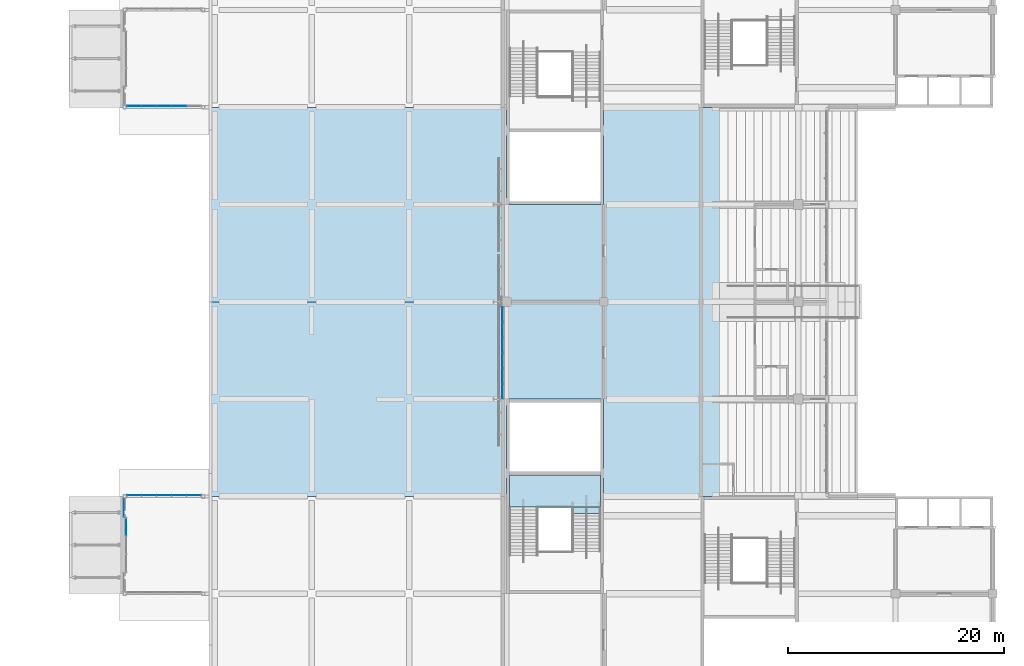
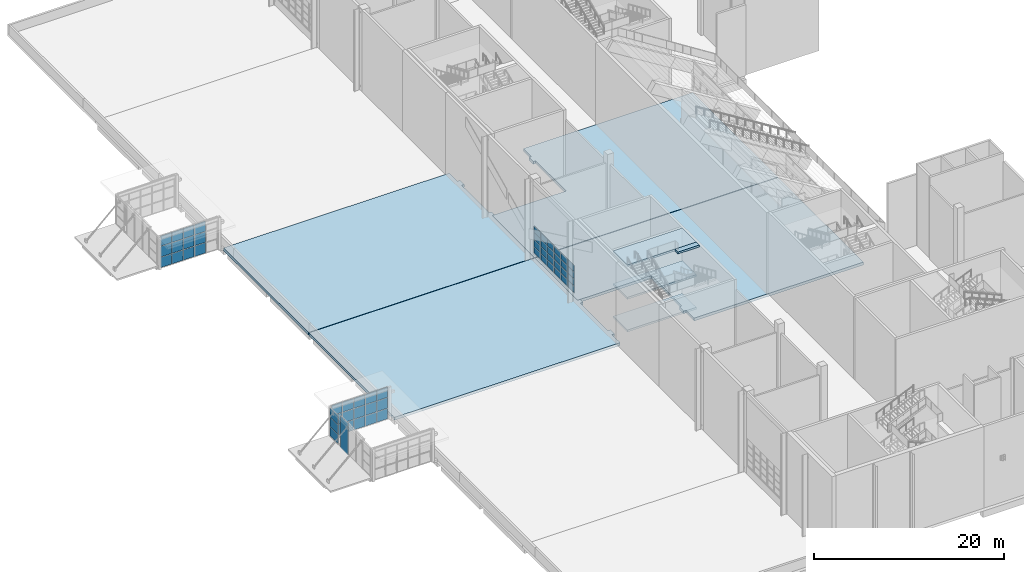
# One storey, part 69 of 182: 55 plates, 8 slabs, 6 elements without a shape of their own.
"""IFC4 building model written with IfcOpenShell, lengths in metres."""

from ifc_helpers import new_model, si_unit, direction, frame, origin, origin_2d, place, context, subcontext, project, spatial, polyline, rectangle, outline, extrude, material, layer, layer_set, type_object, element, aggregate, save


model = new_model("IFC4")

# Units and contexts
model_context = context("Model", 3, precision=1e-05, world=origin(), true_north=direction((0.0, 1.0)))
body_context = subcontext(model_context, "Body", "Model", "MODEL_VIEW")
ifc_project = project(units=[si_unit("LENGTHUNIT", "METRE"), si_unit("AREAUNIT", "SQUARE_METRE"), si_unit("VOLUMEUNIT", "CUBIC_METRE"), si_unit("PLANEANGLEUNIT", "RADIAN"), si_unit("MASSUNIT", "GRAM", prefix="KILO")], contexts=[model_context])

# Site, building, storey
site_placement = place(None, origin())
site = spatial("IfcSite", under=ifc_project, at=site_placement, CompositionType="ELEMENT")
building_placement = place(site_placement, origin())
building = spatial("IfcBuilding", under=site, at=building_placement, Name="Silverbay Arena", CompositionType="ELEMENT")
storey_placement = place(building_placement, frame((0.0, 0.0, 11.5)))
storey = spatial("IfcBuildingStorey", under=building, at=storey_placement, Name="L02", CompositionType="ELEMENT", Elevation=11.5)

# Curtain wall, plates
ifc_material_1 = material(Name="Aluminium framed curtain wall", Category="aluminium")
curtain_wall_type_1 = type_object("IfcCurtainWallType", Name="Curtain wall 1800 x 3700", PredefinedType="NOTDEFINED", material=ifc_material_1)
curtain_wall_1_placement = place(storey_placement, origin())
curtain_wall_1 = element("IfcCurtainWall", 1, at=curtain_wall_1_placement, inside=storey, type_object=curtain_wall_type_1, Name="West entrance hall W0 glazing F0b", PredefinedType="NOTDEFINED")
ifc_material_2 = material(Name="Laminated glass", Category="glass")
ifc_layer_1 = layer(ifc_material_2, 0.028076171875)
ifc_layer_set_1 = layer_set([ifc_layer_1], Name="Laminated glass")
plate_type_1 = type_object("IfcPlateType", Name="Glass panel 28", PredefinedType="CURTAIN_PANEL", material=ifc_layer_set_1)
plate_1_placement = place(storey_placement, frame((18.590087890625, 61.949951171875, 0.5498046875), z_axis=(0.0, 0.0, 1.0), x_axis=(0.0, 1.0, 0.0)))
plate_1 = element("IfcPlate", 2, at=plate_1_placement, type_object=plate_type_1, Name="CW50 panel 1.1", PredefinedType="CURTAIN_PANEL", context=body_context, shape_type="SweptSolid", body=[
    extrude(rectangle(XDim=1.679931640625, YDim=0.028076171875, at=origin_2d()), origin(), (0.0, 0.0, 1.0), 1.158447265625),
])
plate_2_placement = place(storey_placement, frame((18.590087890625, 61.949951171875, 1.75830078125), z_axis=(0.0, 0.0, 1.0), x_axis=(0.0, 1.0, 0.0)))
plate_2 = element("IfcPlate", 3, at=plate_2_placement, type_object=plate_type_1, Name="CW50 panel 1.2", PredefinedType="CURTAIN_PANEL", context=body_context, shape_type="SweptSolid", body=[
    extrude(rectangle(XDim=1.679931640625, YDim=0.028076171875, at=origin_2d()), origin(), (0.0, 0.0, 1.0), 1.183349609375),
])
plate_3_placement = place(storey_placement, frame((18.590087890625, 61.949951171875, 2.99169921875), z_axis=(0.0, 0.0, 1.0), x_axis=(0.0, 1.0, 0.0)))
plate_3 = element("IfcPlate", 4, at=plate_3_placement, type_object=plate_type_1, Name="CW50 panel 1.3", PredefinedType="CURTAIN_PANEL", context=body_context, shape_type="SweptSolid", body=[
    extrude(rectangle(XDim=1.679931640625, YDim=0.028076171875, at=origin_2d()), origin(), (0.0, 0.0, 1.0), 1.158447265625),
])
aggregate(curtain_wall_1, [plate_1, plate_2, plate_3])

ifc_material_3 = material(Name="Aluminium framed curtain wall", Category="aluminium")
curtain_wall_type_2 = type_object("IfcCurtainWallType", Name="Curtain wall 6950 x 4200", PredefinedType="NOTDEFINED", material=ifc_material_3)
curtain_wall_2_placement = place(storey_placement, origin())
curtain_wall_2 = element("IfcCurtainWall", 5, at=curtain_wall_2_placement, inside=storey, type_object=curtain_wall_type_2, Name="West entrance hall W0 glazing SB", PredefinedType="NOTDEFINED")
plate_4_placement = place(storey_placement, frame((19.56005859375, 63.110107421875, 0.0498046875), z_axis=(0.0, 0.0, 1.0), x_axis=(1.0, 0.0, 0.0)))
plate_4 = element("IfcPlate", 6, at=plate_4_placement, type_object=plate_type_1, Name="CW52 panel 1.1", PredefinedType="CURTAIN_PANEL", context=body_context, shape_type="SweptSolid", body=[
    extrude(rectangle(XDim=1.300048828125, YDim=0.028076171875, at=origin_2d()), origin(), (0.0, 0.0, 1.0), 1.324951171875),
])
plate_5_placement = place(storey_placement, frame((19.56005859375, 63.110107421875, 1.425048828125), z_axis=(0.0, 0.0, 1.0), x_axis=(1.0, 0.0, 0.0)))
plate_5 = element("IfcPlate", 7, at=plate_5_placement, type_object=plate_type_1, Name="CW52 panel 1.2", PredefinedType="CURTAIN_PANEL", context=body_context, shape_type="SweptSolid", body=[
    extrude(rectangle(XDim=1.300048828125, YDim=0.028076171875, at=origin_2d()), origin(), (0.0, 0.0, 1.0), 1.35009765625),
])
plate_6_placement = place(storey_placement, frame((19.56005859375, 63.110107421875, 2.8251953125), z_axis=(0.0, 0.0, 1.0), x_axis=(1.0, 0.0, 0.0)))
plate_6 = element("IfcPlate", 8, at=plate_6_placement, type_object=plate_type_1, Name="CW52 panel 1.3", PredefinedType="CURTAIN_PANEL", context=body_context, shape_type="SweptSolid", body=[
    extrude(rectangle(XDim=1.300048828125, YDim=0.028076171875, at=origin_2d()), origin(), (0.0, 0.0, 1.0), 1.324951171875),
])
plate_7_placement = place(storey_placement, frame((20.93505859375, 63.110107421875, 0.0498046875), z_axis=(0.0, 0.0, 1.0), x_axis=(1.0, 0.0, 0.0)))
plate_7 = element("IfcPlate", 9, at=plate_7_placement, type_object=plate_type_1, Name="CW52 panel 2.1", PredefinedType="CURTAIN_PANEL", context=body_context, shape_type="SweptSolid", body=[
    extrude(rectangle(XDim=1.330078125, YDim=0.028076171875, at=origin_2d()), origin(), (0.0, 0.0, 1.0), 1.324951171875),
])
plate_8_placement = place(storey_placement, frame((20.93505859375, 63.110107421875, 1.425048828125), z_axis=(0.0, 0.0, 1.0), x_axis=(1.0, 0.0, 0.0)))
plate_8 = element("IfcPlate", 10, at=plate_8_placement, type_object=plate_type_1, Name="CW52 panel 2.2", PredefinedType="CURTAIN_PANEL", context=body_context, shape_type="SweptSolid", body=[
    extrude(rectangle(XDim=1.330078125, YDim=0.028076171875, at=origin_2d()), origin(), (0.0, 0.0, 1.0), 1.35009765625),
])
plate_9_placement = place(storey_placement, frame((20.93505859375, 63.110107421875, 2.8251953125), z_axis=(0.0, 0.0, 1.0), x_axis=(1.0, 0.0, 0.0)))
plate_9 = element("IfcPlate", 11, at=plate_9_placement, type_object=plate_type_1, Name="CW52 panel 2.3", PredefinedType="CURTAIN_PANEL", context=body_context, shape_type="SweptSolid", body=[
    extrude(rectangle(XDim=1.330078125, YDim=0.028076171875, at=origin_2d()), origin(), (0.0, 0.0, 1.0), 1.324951171875),
])
plate_10_placement = place(storey_placement, frame((22.324951171875, 63.110107421875, 0.0498046875), z_axis=(0.0, 0.0, 1.0), x_axis=(1.0, 0.0, 0.0)))
plate_10 = element("IfcPlate", 12, at=plate_10_placement, type_object=plate_type_1, Name="CW52 panel 3.1", PredefinedType="CURTAIN_PANEL", context=body_context, shape_type="SweptSolid", body=[
    extrude(rectangle(XDim=1.330078125, YDim=0.028076171875, at=origin_2d()), origin(), (0.0, 0.0, 1.0), 1.324951171875),
])
plate_11_placement = place(storey_placement, frame((22.324951171875, 63.110107421875, 1.425048828125), z_axis=(0.0, 0.0, 1.0), x_axis=(1.0, 0.0, 0.0)))
plate_11 = element("IfcPlate", 13, at=plate_11_placement, type_object=plate_type_1, Name="CW52 panel 3.2", PredefinedType="CURTAIN_PANEL", context=body_context, shape_type="SweptSolid", body=[
    extrude(rectangle(XDim=1.330078125, YDim=0.028076171875, at=origin_2d()), origin(), (0.0, 0.0, 1.0), 1.35009765625),
])
plate_12_placement = place(storey_placement, frame((22.324951171875, 63.110107421875, 2.8251953125), z_axis=(0.0, 0.0, 1.0), x_axis=(1.0, 0.0, 0.0)))
plate_12 = element("IfcPlate", 14, at=plate_12_placement, type_object=plate_type_1, Name="CW52 panel 3.3", PredefinedType="CURTAIN_PANEL", context=body_context, shape_type="SweptSolid", body=[
    extrude(rectangle(XDim=1.330078125, YDim=0.028076171875, at=origin_2d()), origin(), (0.0, 0.0, 1.0), 1.324951171875),
])
plate_13_placement = place(storey_placement, frame((23.715087890625, 63.110107421875, 0.0498046875), z_axis=(0.0, 0.0, 1.0), x_axis=(1.0, 0.0, 0.0)))
plate_13 = element("IfcPlate", 15, at=plate_13_placement, type_object=plate_type_1, Name="CW52 panel 4.1", PredefinedType="CURTAIN_PANEL", context=body_context, shape_type="SweptSolid", body=[
    extrude(rectangle(XDim=1.330078125, YDim=0.028076171875, at=origin_2d()), origin(), (0.0, 0.0, 1.0), 1.324951171875),
])
plate_14_placement = place(storey_placement, frame((23.715087890625, 63.110107421875, 1.425048828125), z_axis=(0.0, 0.0, 1.0), x_axis=(1.0, 0.0, 0.0)))
plate_14 = element("IfcPlate", 16, at=plate_14_placement, type_object=plate_type_1, Name="CW52 panel 4.2", PredefinedType="CURTAIN_PANEL", context=body_context, shape_type="SweptSolid", body=[
    extrude(rectangle(XDim=1.330078125, YDim=0.028076171875, at=origin_2d()), origin(), (0.0, 0.0, 1.0), 1.35009765625),
])
plate_15_placement = place(storey_placement, frame((23.715087890625, 63.110107421875, 2.8251953125), z_axis=(0.0, 0.0, 1.0), x_axis=(1.0, 0.0, 0.0)))
plate_15 = element("IfcPlate", 17, at=plate_15_placement, type_object=plate_type_1, Name="CW52 panel 4.3", PredefinedType="CURTAIN_PANEL", context=body_context, shape_type="SweptSolid", body=[
    extrude(rectangle(XDim=1.330078125, YDim=0.028076171875, at=origin_2d()), origin(), (0.0, 0.0, 1.0), 1.324951171875),
])
plate_16_placement = place(storey_placement, frame((25.090087890625, 63.110107421875, 0.0498046875), z_axis=(0.0, 0.0, 1.0), x_axis=(1.0, 0.0, 0.0)))
plate_16 = element("IfcPlate", 18, at=plate_16_placement, type_object=plate_type_1, Name="CW52 panel 5.1", PredefinedType="CURTAIN_PANEL", context=body_context, shape_type="SweptSolid", body=[
    extrude(rectangle(XDim=1.300048828125, YDim=0.028076171875, at=origin_2d()), origin(), (0.0, 0.0, 1.0), 1.324951171875),
])
plate_17_placement = place(storey_placement, frame((25.090087890625, 63.110107421875, 1.425048828125), z_axis=(0.0, 0.0, 1.0), x_axis=(1.0, 0.0, 0.0)))
plate_17 = element("IfcPlate", 19, at=plate_17_placement, type_object=plate_type_1, Name="CW52 panel 5.2", PredefinedType="CURTAIN_PANEL", context=body_context, shape_type="SweptSolid", body=[
    extrude(rectangle(XDim=1.300048828125, YDim=0.028076171875, at=origin_2d()), origin(), (0.0, 0.0, 1.0), 1.35009765625),
])
plate_18_placement = place(storey_placement, frame((25.090087890625, 63.110107421875, 2.8251953125), z_axis=(0.0, 0.0, 1.0), x_axis=(1.0, 0.0, 0.0)))
plate_18 = element("IfcPlate", 20, at=plate_18_placement, type_object=plate_type_1, Name="CW52 panel 5.3", PredefinedType="CURTAIN_PANEL", context=body_context, shape_type="SweptSolid", body=[
    extrude(rectangle(XDim=1.300048828125, YDim=0.028076171875, at=origin_2d()), origin(), (0.0, 0.0, 1.0), 1.324951171875),
])
aggregate(curtain_wall_2, [plate_4, plate_5, plate_6, plate_7, plate_8, plate_9, plate_10, plate_11, plate_12, plate_13, plate_14, plate_15, plate_16, plate_17, plate_18])

# Curtain wall, plate
ifc_material_4 = material(Name="Aluminium framed curtain wall", Category="aluminium")
curtain_wall_type_3 = type_object("IfcCurtainWallType", Name="Curtain wall 5100 x 4200", PredefinedType="NOTDEFINED", material=ifc_material_4)
curtain_wall_3_placement = place(storey_placement, origin())
curtain_wall_3 = element("IfcCurtainWall", 21, at=curtain_wall_3_placement, inside=storey, type_object=curtain_wall_type_3, Name="West entrance hall W0 glazing over the door", PredefinedType="NOTDEFINED")
plate_19_placement = place(storey_placement, frame((18.81005859375, 60.18505859375, 0.050048828125), z_axis=(0.0, 0.0, 1.0), x_axis=(0.0, -1.0, 0.0)))
plate_19 = element("IfcPlate", 22, at=plate_19_placement, type_object=plate_type_1, Name="CW53 panel 1.1", PredefinedType="CURTAIN_PANEL", context=body_context, shape_type="SweptSolid", body=[
    extrude(rectangle(XDim=1.610107421875, YDim=0.028076171875, at=origin_2d()), origin(), (0.0, 0.0, 1.0), 4.10009765625),
])
aggregate(curtain_wall_3, [plate_19])

# Curtain wall, plates
curtain_wall_4_placement = place(storey_placement, origin())
curtain_wall_4 = element("IfcCurtainWall", 23, at=curtain_wall_4_placement, inside=storey, type_object=curtain_wall_type_2, Name="West entrance hall W1 glazing SA", PredefinedType="NOTDEFINED")
plate_20_placement = place(storey_placement, frame((19.56005859375, 99.110107421875, 0.0498046875), z_axis=(0.0, 0.0, 1.0), x_axis=(1.0, 0.0, 0.0)))
plate_20 = element("IfcPlate", 24, at=plate_20_placement, type_object=plate_type_1, Name="CW52 panel 1.1", PredefinedType="CURTAIN_PANEL", context=body_context, shape_type="SweptSolid", body=[
    extrude(rectangle(XDim=1.300048828125, YDim=0.028076171875, at=origin_2d()), origin(), (0.0, 0.0, 1.0), 1.324951171875),
])
plate_21_placement = place(storey_placement, frame((19.56005859375, 99.110107421875, 1.425048828125), z_axis=(0.0, 0.0, 1.0), x_axis=(1.0, 0.0, 0.0)))
plate_21 = element("IfcPlate", 25, at=plate_21_placement, type_object=plate_type_1, Name="CW52 panel 1.2", PredefinedType="CURTAIN_PANEL", context=body_context, shape_type="SweptSolid", body=[
    extrude(rectangle(XDim=1.300048828125, YDim=0.028076171875, at=origin_2d()), origin(), (0.0, 0.0, 1.0), 1.35009765625),
])
plate_22_placement = place(storey_placement, frame((19.56005859375, 99.110107421875, 2.8251953125), z_axis=(0.0, 0.0, 1.0), x_axis=(1.0, 0.0, 0.0)))
plate_22 = element("IfcPlate", 26, at=plate_22_placement, type_object=plate_type_1, Name="CW52 panel 1.3", PredefinedType="CURTAIN_PANEL", context=body_context, shape_type="SweptSolid", body=[
    extrude(rectangle(XDim=1.300048828125, YDim=0.028076171875, at=origin_2d()), origin(), (0.0, 0.0, 1.0), 1.324951171875),
])
plate_23_placement = place(storey_placement, frame((20.93505859375, 99.110107421875, 0.0498046875), z_axis=(0.0, 0.0, 1.0), x_axis=(1.0, 0.0, 0.0)))
plate_23 = element("IfcPlate", 27, at=plate_23_placement, type_object=plate_type_1, Name="CW52 panel 2.1", PredefinedType="CURTAIN_PANEL", context=body_context, shape_type="SweptSolid", body=[
    extrude(rectangle(XDim=1.330078125, YDim=0.028076171875, at=origin_2d()), origin(), (0.0, 0.0, 1.0), 1.324951171875),
])
plate_24_placement = place(storey_placement, frame((20.93505859375, 99.110107421875, 1.425048828125), z_axis=(0.0, 0.0, 1.0), x_axis=(1.0, 0.0, 0.0)))
plate_24 = element("IfcPlate", 28, at=plate_24_placement, type_object=plate_type_1, Name="CW52 panel 2.2", PredefinedType="CURTAIN_PANEL", context=body_context, shape_type="SweptSolid", body=[
    extrude(rectangle(XDim=1.330078125, YDim=0.028076171875, at=origin_2d()), origin(), (0.0, 0.0, 1.0), 1.35009765625),
])
plate_25_placement = place(storey_placement, frame((20.93505859375, 99.110107421875, 2.8251953125), z_axis=(0.0, 0.0, 1.0), x_axis=(1.0, 0.0, 0.0)))
plate_25 = element("IfcPlate", 29, at=plate_25_placement, type_object=plate_type_1, Name="CW52 panel 2.3", PredefinedType="CURTAIN_PANEL", context=body_context, shape_type="SweptSolid", body=[
    extrude(rectangle(XDim=1.330078125, YDim=0.028076171875, at=origin_2d()), origin(), (0.0, 0.0, 1.0), 1.324951171875),
])
plate_26_placement = place(storey_placement, frame((22.324951171875, 99.110107421875, 0.0498046875), z_axis=(0.0, 0.0, 1.0), x_axis=(1.0, 0.0, 0.0)))
plate_26 = element("IfcPlate", 30, at=plate_26_placement, type_object=plate_type_1, Name="CW52 panel 3.1", PredefinedType="CURTAIN_PANEL", context=body_context, shape_type="SweptSolid", body=[
    extrude(rectangle(XDim=1.330078125, YDim=0.028076171875, at=origin_2d()), origin(), (0.0, 0.0, 1.0), 1.324951171875),
])
plate_27_placement = place(storey_placement, frame((22.324951171875, 99.110107421875, 1.425048828125), z_axis=(0.0, 0.0, 1.0), x_axis=(1.0, 0.0, 0.0)))
plate_27 = element("IfcPlate", 31, at=plate_27_placement, type_object=plate_type_1, Name="CW52 panel 3.2", PredefinedType="CURTAIN_PANEL", context=body_context, shape_type="SweptSolid", body=[
    extrude(rectangle(XDim=1.330078125, YDim=0.028076171875, at=origin_2d()), origin(), (0.0, 0.0, 1.0), 1.35009765625),
])
plate_28_placement = place(storey_placement, frame((22.324951171875, 99.110107421875, 2.8251953125), z_axis=(0.0, 0.0, 1.0), x_axis=(1.0, 0.0, 0.0)))
plate_28 = element("IfcPlate", 32, at=plate_28_placement, type_object=plate_type_1, Name="CW52 panel 3.3", PredefinedType="CURTAIN_PANEL", context=body_context, shape_type="SweptSolid", body=[
    extrude(rectangle(XDim=1.330078125, YDim=0.028076171875, at=origin_2d()), origin(), (0.0, 0.0, 1.0), 1.324951171875),
])
plate_29_placement = place(storey_placement, frame((23.715087890625, 99.110107421875, 0.0498046875), z_axis=(0.0, 0.0, 1.0), x_axis=(1.0, 0.0, 0.0)))
plate_29 = element("IfcPlate", 33, at=plate_29_placement, type_object=plate_type_1, Name="CW52 panel 4.1", PredefinedType="CURTAIN_PANEL", context=body_context, shape_type="SweptSolid", body=[
    extrude(rectangle(XDim=1.330078125, YDim=0.028076171875, at=origin_2d()), origin(), (0.0, 0.0, 1.0), 1.324951171875),
])
plate_30_placement = place(storey_placement, frame((23.715087890625, 99.110107421875, 1.425048828125), z_axis=(0.0, 0.0, 1.0), x_axis=(1.0, 0.0, 0.0)))
plate_30 = element("IfcPlate", 34, at=plate_30_placement, type_object=plate_type_1, Name="CW52 panel 4.2", PredefinedType="CURTAIN_PANEL", context=body_context, shape_type="SweptSolid", body=[
    extrude(rectangle(XDim=1.330078125, YDim=0.028076171875, at=origin_2d()), origin(), (0.0, 0.0, 1.0), 1.35009765625),
])
plate_31_placement = place(storey_placement, frame((23.715087890625, 99.110107421875, 2.8251953125), z_axis=(0.0, 0.0, 1.0), x_axis=(1.0, 0.0, 0.0)))
plate_31 = element("IfcPlate", 35, at=plate_31_placement, type_object=plate_type_1, Name="CW52 panel 4.3", PredefinedType="CURTAIN_PANEL", context=body_context, shape_type="SweptSolid", body=[
    extrude(rectangle(XDim=1.330078125, YDim=0.028076171875, at=origin_2d()), origin(), (0.0, 0.0, 1.0), 1.324951171875),
])
aggregate(curtain_wall_4, [plate_20, plate_21, plate_22, plate_23, plate_24, plate_25, plate_26, plate_27, plate_28, plate_29, plate_30, plate_31])

ifc_material_5 = material(Name="Aluminium framed curtain wall", Category="aluminium")
curtain_wall_type_4 = type_object("IfcCurtainWallType", Name="Curtain wall 8550 x 3600", PredefinedType="NOTDEFINED", material=ifc_material_5)
curtain_wall_5_placement = place(storey_placement, origin())
curtain_wall_5 = element("IfcCurtainWall", 36, at=curtain_wall_5_placement, inside=storey, type_object=curtain_wall_type_4, Name="West curtain wall L02 bay 7", PredefinedType="NOTDEFINED")
ifc_material_6 = material(Name="Laminated glass", Category="glass")
ifc_layer_2 = layer(ifc_material_6, 0.035888671875)
ifc_layer_set_2 = layer_set([ifc_layer_2], Name="Laminated glass")
plate_type_2 = type_object("IfcPlateType", Name="Glass panel 36", PredefinedType="CURTAIN_PANEL", material=ifc_layer_set_2)
plate_32_placement = place(storey_placement, frame((53.64990234375, 79.822509765625, 1.0498046875), z_axis=(0.0, 0.0, 1.0), x_axis=(0.0, -1.0, 0.0)))
plate_32 = element("IfcPlate", 37, at=plate_32_placement, type_object=plate_type_2, Name="CW10 panel 1.1", PredefinedType="CURTAIN_PANEL", context=body_context, shape_type="SweptSolid", body=[
    extrude(rectangle(XDim=1.3349609375, YDim=0.035888671875, at=origin_2d()), origin(), (0.0, 0.0, 1.0), 0.824951171875),
])
plate_33_placement = place(storey_placement, frame((53.64990234375, 79.822509765625, 1.925048828125), z_axis=(0.0, 0.0, 1.0), x_axis=(0.0, -1.0, 0.0)))
plate_33 = element("IfcPlate", 38, at=plate_33_placement, type_object=plate_type_2, Name="CW10 panel 1.2", PredefinedType="CURTAIN_PANEL", context=body_context, shape_type="SweptSolid", body=[
    extrude(rectangle(XDim=1.3349609375, YDim=0.035888671875, at=origin_2d()), origin(), (0.0, 0.0, 1.0), 0.85009765625),
])
plate_34_placement = place(storey_placement, frame((53.64990234375, 79.822509765625, 2.824951171875), z_axis=(0.0, 0.0, 1.0), x_axis=(0.0, -1.0, 0.0)))
plate_34 = element("IfcPlate", 39, at=plate_34_placement, type_object=plate_type_2, Name="CW10 panel 1.3", PredefinedType="CURTAIN_PANEL", context=body_context, shape_type="SweptSolid", body=[
    extrude(rectangle(XDim=1.3349609375, YDim=0.035888671875, at=origin_2d()), origin(), (0.0, 0.0, 1.0), 0.85009765625),
])
plate_35_placement = place(storey_placement, frame((53.64990234375, 79.822509765625, 3.72509765625), z_axis=(0.0, 0.0, 1.0), x_axis=(0.0, -1.0, 0.0)))
plate_35 = element("IfcPlate", 40, at=plate_35_placement, type_object=plate_type_2, Name="CW10 panel 1.4", PredefinedType="CURTAIN_PANEL", context=body_context, shape_type="SweptSolid", body=[
    extrude(rectangle(XDim=1.3349609375, YDim=0.035888671875, at=origin_2d()), origin(), (0.0, 0.0, 1.0), 0.824951171875),
])
plate_36_placement = place(storey_placement, frame((53.64990234375, 78.41259765625, 1.0498046875), z_axis=(0.0, 0.0, 1.0), x_axis=(0.0, -1.0, 0.0)))
plate_36 = element("IfcPlate", 41, at=plate_36_placement, type_object=plate_type_2, Name="CW10 panel 2.1", PredefinedType="CURTAIN_PANEL", context=body_context, shape_type="SweptSolid", body=[
    extrude(rectangle(XDim=1.364990234375, YDim=0.035888671875, at=origin_2d()), origin(), (0.0, 0.0, 1.0), 0.824951171875),
])
plate_37_placement = place(storey_placement, frame((53.64990234375, 78.41259765625, 1.925048828125), z_axis=(0.0, 0.0, 1.0), x_axis=(0.0, -1.0, 0.0)))
plate_37 = element("IfcPlate", 42, at=plate_37_placement, type_object=plate_type_2, Name="CW10 panel 2.2", PredefinedType="CURTAIN_PANEL", context=body_context, shape_type="SweptSolid", body=[
    extrude(rectangle(XDim=1.364990234375, YDim=0.035888671875, at=origin_2d()), origin(), (0.0, 0.0, 1.0), 0.85009765625),
])
plate_38_placement = place(storey_placement, frame((53.64990234375, 78.41259765625, 2.824951171875), z_axis=(0.0, 0.0, 1.0), x_axis=(0.0, -1.0, 0.0)))
plate_38 = element("IfcPlate", 43, at=plate_38_placement, type_object=plate_type_2, Name="CW10 panel 2.3", PredefinedType="CURTAIN_PANEL", context=body_context, shape_type="SweptSolid", body=[
    extrude(rectangle(XDim=1.364990234375, YDim=0.035888671875, at=origin_2d()), origin(), (0.0, 0.0, 1.0), 0.85009765625),
])
plate_39_placement = place(storey_placement, frame((53.64990234375, 78.41259765625, 3.72509765625), z_axis=(0.0, 0.0, 1.0), x_axis=(0.0, -1.0, 0.0)))
plate_39 = element("IfcPlate", 44, at=plate_39_placement, type_object=plate_type_2, Name="CW10 panel 2.4", PredefinedType="CURTAIN_PANEL", context=body_context, shape_type="SweptSolid", body=[
    extrude(rectangle(XDim=1.364990234375, YDim=0.035888671875, at=origin_2d()), origin(), (0.0, 0.0, 1.0), 0.824951171875),
])
plate_40_placement = place(storey_placement, frame((53.64990234375, 76.987548828125, 1.0498046875), z_axis=(0.0, 0.0, 1.0), x_axis=(0.0, -1.0, 0.0)))
plate_40 = element("IfcPlate", 45, at=plate_40_placement, type_object=plate_type_2, Name="CW10 panel 3.1", PredefinedType="CURTAIN_PANEL", context=body_context, shape_type="SweptSolid", body=[
    extrude(rectangle(XDim=1.364990234375, YDim=0.035888671875, at=origin_2d()), origin(), (0.0, 0.0, 1.0), 0.824951171875),
])
plate_41_placement = place(storey_placement, frame((53.64990234375, 76.987548828125, 1.925048828125), z_axis=(0.0, 0.0, 1.0), x_axis=(0.0, -1.0, 0.0)))
plate_41 = element("IfcPlate", 46, at=plate_41_placement, type_object=plate_type_2, Name="CW10 panel 3.2", PredefinedType="CURTAIN_PANEL", context=body_context, shape_type="SweptSolid", body=[
    extrude(rectangle(XDim=1.364990234375, YDim=0.035888671875, at=origin_2d()), origin(), (0.0, 0.0, 1.0), 0.85009765625),
])
plate_42_placement = place(storey_placement, frame((53.64990234375, 76.987548828125, 2.824951171875), z_axis=(0.0, 0.0, 1.0), x_axis=(0.0, -1.0, 0.0)))
plate_42 = element("IfcPlate", 47, at=plate_42_placement, type_object=plate_type_2, Name="CW10 panel 3.3", PredefinedType="CURTAIN_PANEL", context=body_context, shape_type="SweptSolid", body=[
    extrude(rectangle(XDim=1.364990234375, YDim=0.035888671875, at=origin_2d()), origin(), (0.0, 0.0, 1.0), 0.85009765625),
])
plate_43_placement = place(storey_placement, frame((53.64990234375, 76.987548828125, 3.72509765625), z_axis=(0.0, 0.0, 1.0), x_axis=(0.0, -1.0, 0.0)))
plate_43 = element("IfcPlate", 48, at=plate_43_placement, type_object=plate_type_2, Name="CW10 panel 3.4", PredefinedType="CURTAIN_PANEL", context=body_context, shape_type="SweptSolid", body=[
    extrude(rectangle(XDim=1.364990234375, YDim=0.035888671875, at=origin_2d()), origin(), (0.0, 0.0, 1.0), 0.824951171875),
])
plate_44_placement = place(storey_placement, frame((53.64990234375, 75.5625, 1.0498046875), z_axis=(0.0, 0.0, 1.0), x_axis=(0.0, -1.0, 0.0)))
plate_44 = element("IfcPlate", 49, at=plate_44_placement, type_object=plate_type_2, Name="CW10 panel 4.1", PredefinedType="CURTAIN_PANEL", context=body_context, shape_type="SweptSolid", body=[
    extrude(rectangle(XDim=1.364990234375, YDim=0.035888671875, at=origin_2d()), origin(), (0.0, 0.0, 1.0), 0.824951171875),
])
plate_45_placement = place(storey_placement, frame((53.64990234375, 75.5625, 1.925048828125), z_axis=(0.0, 0.0, 1.0), x_axis=(0.0, -1.0, 0.0)))
plate_45 = element("IfcPlate", 50, at=plate_45_placement, type_object=plate_type_2, Name="CW10 panel 4.2", PredefinedType="CURTAIN_PANEL", context=body_context, shape_type="SweptSolid", body=[
    extrude(rectangle(XDim=1.364990234375, YDim=0.035888671875, at=origin_2d()), origin(), (0.0, 0.0, 1.0), 0.85009765625),
])
plate_46_placement = place(storey_placement, frame((53.64990234375, 75.5625, 2.824951171875), z_axis=(0.0, 0.0, 1.0), x_axis=(0.0, -1.0, 0.0)))
plate_46 = element("IfcPlate", 51, at=plate_46_placement, type_object=plate_type_2, Name="CW10 panel 4.3", PredefinedType="CURTAIN_PANEL", context=body_context, shape_type="SweptSolid", body=[
    extrude(rectangle(XDim=1.364990234375, YDim=0.035888671875, at=origin_2d()), origin(), (0.0, 0.0, 1.0), 0.85009765625),
])
plate_47_placement = place(storey_placement, frame((53.64990234375, 75.5625, 3.72509765625), z_axis=(0.0, 0.0, 1.0), x_axis=(0.0, -1.0, 0.0)))
plate_47 = element("IfcPlate", 52, at=plate_47_placement, type_object=plate_type_2, Name="CW10 panel 4.4", PredefinedType="CURTAIN_PANEL", context=body_context, shape_type="SweptSolid", body=[
    extrude(rectangle(XDim=1.364990234375, YDim=0.035888671875, at=origin_2d()), origin(), (0.0, 0.0, 1.0), 0.824951171875),
])
plate_48_placement = place(storey_placement, frame((53.64990234375, 74.137451171875, 1.0498046875), z_axis=(0.0, 0.0, 1.0), x_axis=(0.0, -1.0, 0.0)))
plate_48 = element("IfcPlate", 53, at=plate_48_placement, type_object=plate_type_2, Name="CW10 panel 5.1", PredefinedType="CURTAIN_PANEL", context=body_context, shape_type="SweptSolid", body=[
    extrude(rectangle(XDim=1.364990234375, YDim=0.035888671875, at=origin_2d()), origin(), (0.0, 0.0, 1.0), 0.824951171875),
])
plate_49_placement = place(storey_placement, frame((53.64990234375, 74.137451171875, 1.925048828125), z_axis=(0.0, 0.0, 1.0), x_axis=(0.0, -1.0, 0.0)))
plate_49 = element("IfcPlate", 54, at=plate_49_placement, type_object=plate_type_2, Name="CW10 panel 5.2", PredefinedType="CURTAIN_PANEL", context=body_context, shape_type="SweptSolid", body=[
    extrude(rectangle(XDim=1.364990234375, YDim=0.035888671875, at=origin_2d()), origin(), (0.0, 0.0, 1.0), 0.85009765625),
])
plate_50_placement = place(storey_placement, frame((53.64990234375, 74.137451171875, 2.824951171875), z_axis=(0.0, 0.0, 1.0), x_axis=(0.0, -1.0, 0.0)))
plate_50 = element("IfcPlate", 55, at=plate_50_placement, type_object=plate_type_2, Name="CW10 panel 5.3", PredefinedType="CURTAIN_PANEL", context=body_context, shape_type="SweptSolid", body=[
    extrude(rectangle(XDim=1.364990234375, YDim=0.035888671875, at=origin_2d()), origin(), (0.0, 0.0, 1.0), 0.85009765625),
])
plate_51_placement = place(storey_placement, frame((53.64990234375, 74.137451171875, 3.72509765625), z_axis=(0.0, 0.0, 1.0), x_axis=(0.0, -1.0, 0.0)))
plate_51 = element("IfcPlate", 56, at=plate_51_placement, type_object=plate_type_2, Name="CW10 panel 5.4", PredefinedType="CURTAIN_PANEL", context=body_context, shape_type="SweptSolid", body=[
    extrude(rectangle(XDim=1.364990234375, YDim=0.035888671875, at=origin_2d()), origin(), (0.0, 0.0, 1.0), 0.824951171875),
])
plate_52_placement = place(storey_placement, frame((53.64990234375, 72.7275390625, 1.0498046875), z_axis=(0.0, 0.0, 1.0), x_axis=(0.0, -1.0, 0.0)))
plate_52 = element("IfcPlate", 57, at=plate_52_placement, type_object=plate_type_2, Name="CW10 panel 6.1", PredefinedType="CURTAIN_PANEL", context=body_context, shape_type="SweptSolid", body=[
    extrude(rectangle(XDim=1.3349609375, YDim=0.035888671875, at=origin_2d()), origin(), (0.0, 0.0, 1.0), 0.824951171875),
])
plate_53_placement = place(storey_placement, frame((53.64990234375, 72.7275390625, 1.925048828125), z_axis=(0.0, 0.0, 1.0), x_axis=(0.0, -1.0, 0.0)))
plate_53 = element("IfcPlate", 58, at=plate_53_placement, type_object=plate_type_2, Name="CW10 panel 6.2", PredefinedType="CURTAIN_PANEL", context=body_context, shape_type="SweptSolid", body=[
    extrude(rectangle(XDim=1.3349609375, YDim=0.035888671875, at=origin_2d()), origin(), (0.0, 0.0, 1.0), 0.85009765625),
])
plate_54_placement = place(storey_placement, frame((53.64990234375, 72.7275390625, 2.824951171875), z_axis=(0.0, 0.0, 1.0), x_axis=(0.0, -1.0, 0.0)))
plate_54 = element("IfcPlate", 59, at=plate_54_placement, type_object=plate_type_2, Name="CW10 panel 6.3", PredefinedType="CURTAIN_PANEL", context=body_context, shape_type="SweptSolid", body=[
    extrude(rectangle(XDim=1.3349609375, YDim=0.035888671875, at=origin_2d()), origin(), (0.0, 0.0, 1.0), 0.85009765625),
])
plate_55_placement = place(storey_placement, frame((53.64990234375, 72.7275390625, 3.72509765625), z_axis=(0.0, 0.0, 1.0), x_axis=(0.0, -1.0, 0.0)))
plate_55 = element("IfcPlate", 60, at=plate_55_placement, type_object=plate_type_2, Name="CW10 panel 6.4", PredefinedType="CURTAIN_PANEL", context=body_context, shape_type="SweptSolid", body=[
    extrude(rectangle(XDim=1.3349609375, YDim=0.035888671875, at=origin_2d()), origin(), (0.0, 0.0, 1.0), 0.824951171875),
])
aggregate(curtain_wall_5, [plate_32, plate_33, plate_34, plate_35, plate_36, plate_37, plate_38, plate_39, plate_40, plate_41, plate_42, plate_43, plate_44, plate_45, plate_46, plate_47, plate_48, plate_49, plate_50, plate_51, plate_52, plate_53, plate_54, plate_55])

# Slabs
ifc_material_7 = material(Name="Concrete Grade C45", Category="concrete")
ifc_layer_3 = layer(ifc_material_7, 0.35009765625)
ifc_layer_set_3 = layer_set([ifc_layer_3], Name="Concrete Grade C45")
slab_type_1 = type_object("IfcSlabType", Name="RC floor slab 350", PredefinedType="FLOOR", material=ifc_layer_set_3)
slab_1_placement = place(storey_placement, frame((0.0, 0.0, -0.35009765625)))
element("IfcSlab", 61, at=slab_1_placement, inside=storey, type_object=slab_type_1, Name="Floor slab L02 unit 7", PredefinedType="FLOOR", context=body_context, shape_type="SweptSolid", body=[
    extrude(outline(polyline([(62.699951171875, 65.60009765625), (63.0, 65.60009765625), (63.0, 72.0), (54.0, 72.0), (54.0, 81.0), (83.60009765625, 81.0), (83.60009765625, 63.0), (63.0, 63.0), (63.0, 64.699951171875), (62.699951171875, 64.699951171875), (62.699951171875, 65.60009765625)])), origin(), (0.0, 0.0, 1.0), 0.35009765625),
])
slab_2_placement = place(storey_placement, frame((0.0, 0.0, -0.35009765625)))
element("IfcSlab", 62, at=slab_2_placement, inside=storey, type_object=slab_type_1, Name="Floor slab L02 unit 7 B", PredefinedType="FLOOR", context=body_context, shape_type="SweptSolid", body=[
    extrude(outline(polyline([(54.0, 90.0), (63.0, 90.0), (63.0, 96.39990234375), (62.699951171875, 96.39990234375), (62.699951171875, 97.300048828125), (63.0, 97.300048828125), (63.0, 99.0), (83.60009765625, 99.0), (83.60009765625, 81.050048828125), (54.0, 81.050048828125), (54.0, 90.0)])), origin(), (0.0, 0.0, 1.0), 0.35009765625),
])
ifc_material_8 = material(Name="Concrete Grade C45", Category="concrete")
ifc_layer_4 = layer(ifc_material_8, 0.35009765625)
ifc_layer_set_4 = layer_set([ifc_layer_4], Name="Concrete Grade C45")
slab_type_2 = type_object("IfcSlabType", Name="RC roof slab 350", PredefinedType="ROOF", material=ifc_layer_set_4)
slab_3_placement = place(storey_placement, frame((0.0, 0.0, -0.35009765625)))
element("IfcSlab", 63, at=slab_3_placement, inside=storey, type_object=slab_type_2, Name="Roof slab L02 unit 5", PredefinedType="ROOF", context=body_context, shape_type="SweptSolid", body=[
    extrude(outline(polyline([(54.300048828125, 64.699951171875), (54.0, 64.699951171875), (54.0, 63.0), (26.5, 63.0), (26.5, 81.0), (54.0, 81.0), (54.0, 72.0), (54.300048828125, 72.0), (54.300048828125, 71.39990234375), (54.0, 71.39990234375), (54.0, 65.60009765625), (54.300048828125, 65.60009765625), (54.300048828125, 64.699951171875)])), origin(), (0.0, 0.0, 1.0), 0.35009765625),
])
slab_4_placement = place(storey_placement, frame((0.0, 0.0, -0.35009765625)))
element("IfcSlab", 64, at=slab_4_placement, inside=storey, type_object=slab_type_2, Name="Roof slab L02 unit 5 B", PredefinedType="ROOF", context=body_context, shape_type="SweptSolid", body=[
    extrude(outline(polyline([(26.5, 99.0), (54.0, 99.0), (54.0, 97.300048828125), (54.300048828125, 97.300048828125), (54.300048828125, 96.39990234375), (54.0, 96.39990234375), (54.0, 90.60009765625), (54.300048828125, 90.60009765625), (54.300048828125, 90.0), (54.0, 90.0), (54.0, 81.050048828125), (26.5, 81.050048828125), (26.5, 99.0)])), origin(), (0.0, 0.0, 1.0), 0.35009765625),
])

# Stair, slabs
ifc_material_9 = material(Name="Concrete Grade C45", Category="concrete")
stair_type = type_object("IfcStairType", Name="Stair 2600 wide 80 risers 131.2 x 300", PredefinedType="HALF_TURN_STAIR", material=ifc_material_9)
stair_placement = place(storey_placement, origin())
stair = element("IfcStair", 65, at=stair_placement, inside=storey, type_object=stair_type, Name="Stair ST-W1 L02 to L03", PredefinedType="HALF_TURN_STAIR")
ifc_material_10 = material(Name="Concrete Grade C45", Category="concrete")
ifc_layer_5 = layer(ifc_material_10, 0.25)
ifc_layer_set_5 = layer_set([ifc_layer_5], Name="Concrete Grade C45")
slab_type_3 = type_object("IfcSlabType", Name="Stair arrival platform RC 250", PredefinedType="FLOOR", material=ifc_layer_set_5)
slab_5_placement = place(storey_placement, frame((0.0, 0.0, 10.25)))
slab_5 = element("IfcSlab", 66, at=slab_5_placement, type_object=slab_type_3, Name="Stair ST-W1 L02 to L03 arrival platform 6", PredefinedType="FLOOR", context=body_context, shape_type="SweptSolid", body=[
    extrude(outline(polyline([(62.699951171875, 61.39990234375), (62.699951171875, 62.02587890625), (60.10009765625, 62.02587890625), (60.10009765625, 61.39990234375), (62.699951171875, 61.39990234375)])), origin(), (0.0, 0.0, 1.0), 0.25),
])
ifc_material_11 = material(Name="Concrete Grade C45", Category="concrete")
ifc_layer_6 = layer(ifc_material_11, 0.25)
ifc_layer_set_6 = layer_set([ifc_layer_6], Name="Concrete Grade C45")
slab_type_4 = type_object("IfcSlabType", Name="Stair landing RC 250", PredefinedType="LANDING", material=ifc_layer_set_6)
slab_6_placement = place(storey_placement, frame((0.0, 0.0, 1.85009765625)))
slab_6 = element("IfcSlab", 67, at=slab_6_placement, type_object=slab_type_4, Name="Stair ST-W1 L02 to L03 landing 1", PredefinedType="LANDING", context=body_context, shape_type="SweptSolid", body=[
    extrude(outline(polyline([(62.699951171875, 62.02587890625), (62.699951171875, 65.0), (54.300048828125, 65.0), (54.300048828125, 62.02587890625), (62.699951171875, 62.02587890625)])), origin(), (0.0, 0.0, 1.0), 0.25),
])
slab_7_placement = place(storey_placement, frame((0.0, 0.0, 6.050048828125)))
slab_7 = element("IfcSlab", 68, at=slab_7_placement, type_object=slab_type_4, Name="Stair ST-W1 L02 to L03 landing 3", PredefinedType="LANDING", context=body_context, shape_type="SweptSolid", body=[
    extrude(outline(polyline([(62.699951171875, 62.02587890625), (62.699951171875, 65.0), (54.300048828125, 65.0), (54.300048828125, 62.02587890625), (62.699951171875, 62.02587890625)])), origin(), (0.0, 0.0, 1.0), 0.25),
])
slab_8_placement = place(storey_placement, frame((0.0, 0.0, 10.25)))
slab_8 = element("IfcSlab", 69, at=slab_8_placement, type_object=slab_type_4, Name="Stair ST-W1 L02 to L03 landing 5", PredefinedType="LANDING", context=body_context, shape_type="SweptSolid", body=[
    extrude(outline(polyline([(62.699951171875, 62.02587890625), (62.699951171875, 65.0), (54.300048828125, 65.0), (54.300048828125, 62.02587890625), (62.699951171875, 62.02587890625)])), origin(), (0.0, 0.0, 1.0), 0.25),
])
aggregate(stair, [slab_6, slab_7, slab_8, slab_5])

save(model, "model.ifc")
